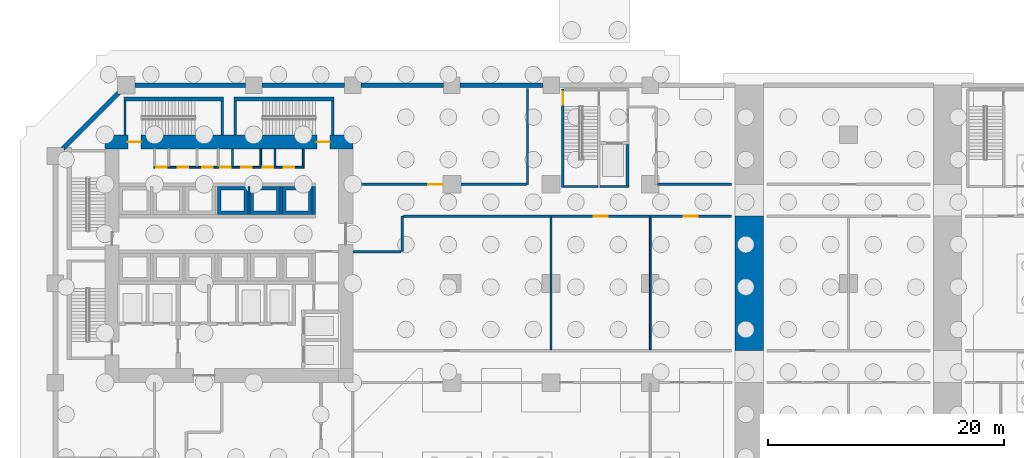
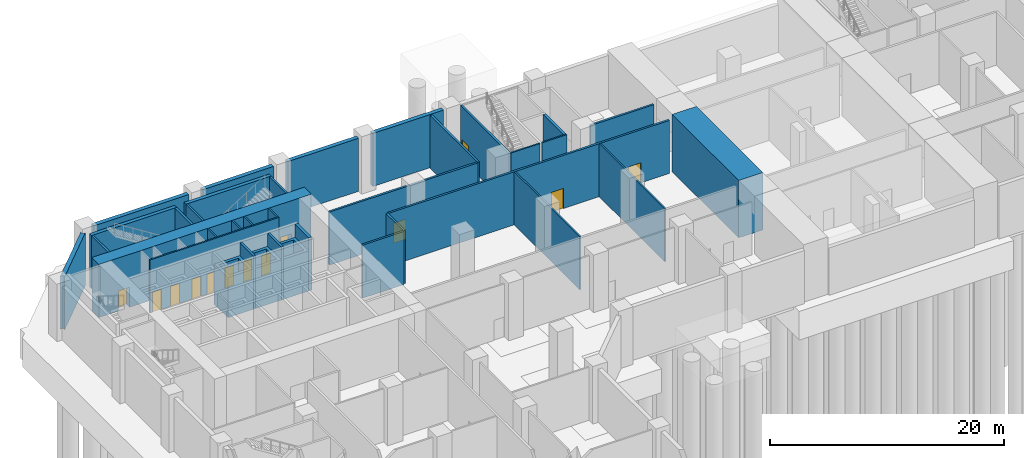
# One storey, part 8 of 13: 36 walls, 13 doors, 13 openings.
"""IFC4 building model written with IfcOpenShell, lengths in metres."""

from ifc_helpers import new_model, si_unit, direction, frame, frame_2d, origin, place, context, subcontext, project, spatial, polyline, rectangle, outline, extrude, material, layer, layer_set, type_object, element, fill, save


model = new_model("IFC4")

# Units and contexts
model_context = context("Model", 3, precision=1e-05, world=origin(), true_north=direction((0.0, 1.0)))
body_context = subcontext(model_context, "Body", "Model", "MODEL_VIEW")
ifc_project = project(units=[si_unit("LENGTHUNIT", "METRE"), si_unit("AREAUNIT", "SQUARE_METRE"), si_unit("VOLUMEUNIT", "CUBIC_METRE"), si_unit("PLANEANGLEUNIT", "RADIAN"), si_unit("MASSUNIT", "GRAM", prefix="KILO")], contexts=[model_context])

# Site, building, storey
site_placement = place(None, origin())
site = spatial("IfcSite", under=ifc_project, at=site_placement, CompositionType="ELEMENT")
building_placement = place(site_placement, origin())
building = spatial("IfcBuilding", under=site, at=building_placement, Name="Kawkab Arch Medical Tower", CompositionType="ELEMENT")
storey_placement = place(building_placement, frame((0.0, 0.0, -6.0)))
storey = spatial("IfcBuildingStorey", under=building, at=storey_placement, Name="B1", CompositionType="ELEMENT", Elevation=-6.0)

# Walls
ifc_material_1 = material(Name="Concrete C60/75", Category="concrete")
wall_type_1 = type_object("IfcWallType", Name="Arch wall C60/75", PredefinedType="SHEAR", material=ifc_material_1)
wall_1_placement = place(storey_placement, frame((0.0, -11.10009765625, 6.0), z_axis=(0.0, -1.0, 0.0), x_axis=(1.0, 0.0, 0.0)))
element("IfcWall", 1, at=wall_1_placement, inside=storey, type_object=wall_type_1, Name="Arch wall B1-3", PredefinedType="SHEAR", context=body_context, shape_type="SweptSolid", body=[
    extrude(outline(polyline([(60.0, 0.0), (60.0, -6.0), (57.60009765625, -6.0), (57.60009765625, 0.0), (60.0, 0.0)])), origin(), (0.0, 0.0, 1.0), 11.39990234375),
])
ifc_material_2 = material(Name="Concrete C45/55", Category="concrete")
ifc_layer_1 = layer(ifc_material_2, 0.39990234375)
ifc_layer_set_1 = layer_set([ifc_layer_1], Name="Concrete C45/55")
wall_type_2 = type_object("IfcWallType", Name="Basement wall 400 C45/55", PredefinedType="SOLIDWALL", material=ifc_layer_set_1)
placement = place(storey_placement, origin())
element("IfcWall", 2, at=placement, inside=storey, type_object=wall_type_2, Name="Basement wall 01", PredefinedType="SOLIDWALL", context=body_context, shape_type="SweptSolid", body=[
    extrude(outline(polyline([(16.10009765625, -0.199951171875), (6.72509765625, -0.199951171875), (6.72509765625, 0.199951171875), (16.10009765625, 0.199951171875), (16.10009765625, -0.199951171875)])), origin(), (0.0, 0.0, 1.0), 5.550048828125),
])
element("IfcWall", 3, at=placement, inside=storey, type_object=wall_type_2, Name="Basement wall 02", PredefinedType="SOLIDWALL", context=body_context, shape_type="SweptSolid", body=[
    extrude(outline(polyline([(24.5, -0.199951171875), (17.5, -0.199951171875), (17.5, 0.199951171875), (24.5, 0.199951171875), (24.5, -0.199951171875)])), origin(), (0.0, 0.0, 1.0), 5.550048828125),
])
element("IfcWall", 4, at=placement, inside=storey, type_object=wall_type_2, Name="Basement wall 03", PredefinedType="SOLIDWALL", context=body_context, shape_type="SweptSolid", body=[
    extrude(outline(polyline([(32.89990234375, -0.199951171875), (25.89990234375, -0.199951171875), (25.89990234375, 0.199951171875), (32.89990234375, 0.199951171875), (32.89990234375, -0.199951171875)])), origin(), (0.0, 0.0, 1.0), 5.550048828125),
])
element("IfcWall", 5, at=placement, inside=storey, type_object=wall_type_2, Name="Basement wall 04", PredefinedType="SOLIDWALL", context=body_context, shape_type="SweptSolid", body=[
    extrude(outline(polyline([(41.300048828125, -0.199951171875), (34.300048828125, -0.199951171875), (34.300048828125, 0.199951171875), (41.300048828125, 0.199951171875), (41.300048828125, -0.199951171875)])), origin(), (0.0, 0.0, 1.0), 5.550048828125),
])
element("IfcWall", 6, at=placement, inside=storey, type_object=wall_type_2, Name="Basement wall 09", PredefinedType="SOLIDWALL", context=body_context, shape_type="SweptSolid", body=[
    extrude(outline(polyline([(5.27490234375, -0.72509765625), (5.557861328125, -0.72509765625), (0.72509765625, -5.557861328125), (0.72509765625, -5.27490234375), (0.442138671875, -5.27490234375), (5.27490234375, -0.442138671875), (5.27490234375, -0.72509765625)])), origin(), (0.0, 0.0, 1.0), 5.550048828125),
])

# Wall, openings, doors
ifc_material_3 = material(Name="Concrete C60/75", Category="concrete")
ifc_layer_2 = layer(ifc_material_3, 1.199951171875)
ifc_layer_set_2 = layer_set([ifc_layer_2], Name="Concrete C60/75")
wall_type_3 = type_object("IfcWallType", Name="Core ring wall 1200 C60/75", PredefinedType="SHEAR", material=ifc_layer_set_2)
wall_7_placement = place(storey_placement, frame((4.199951171875, -4.800048828125, 0.0), z_axis=(0.0, 0.0, 1.0), x_axis=(1.0, 0.0, 0.0)))
wall_7 = element("IfcWall", 7, at=wall_7_placement, inside=storey, type_object=wall_type_3, Name="B1 core wall", PredefinedType="SHEAR", context=body_context, shape_type="SweptSolid", body=[
    extrude(rectangle(XDim=21.0, YDim=1.199951171875, at=frame_2d((10.5, 0.0))), origin(), (0.0, 0.0, 1.0), 5.550048828125),
])
opening_1_placement = place(wall_7_placement, frame((1.949951171875, 0.0, 0.0)))
opening_1 = element("IfcOpeningElement", 8, at=opening_1_placement, cuts=wall_7, Name="Opening SD", PredefinedType="OPENING", context=body_context, shape_type="SweptSolid", body=[
    extrude(rectangle(XDim=1.10009765625, YDim=2.10009765625, at=frame_2d((0.550048828125, 1.050048828125))), frame((0.0, 0.60986328125, 0.0), z_axis=(0.0, -1.0, 0.0), x_axis=(1.0, 0.0, 0.0)), (0.0, 0.0, 1.0), 1.219970703125),
])
opening_2_placement = place(wall_7_placement, frame((17.949951171875, 0.0, 0.0)))
opening_2 = element("IfcOpeningElement", 9, at=opening_2_placement, cuts=wall_7, Name="Opening SD", PredefinedType="OPENING", context=body_context, shape_type="SweptSolid", body=[
    extrude(rectangle(XDim=1.10009765625, YDim=2.10009765625, at=frame_2d((0.550048828125, 1.050048828125))), frame((0.0, 0.60986328125, 0.0), z_axis=(0.0, -1.0, 0.0), x_axis=(1.0, 0.0, 0.0)), (0.0, 0.0, 1.0), 1.219970703125),
])
ifc_material_4 = material(Name="Hollow metal fire door leaf")
door_type_1 = type_object("IfcDoorType", Name="Exit stair door 1100", OperationType="SINGLE_SWING_LEFT", PredefinedType="DOOR", material=ifc_material_4)
door_1_placement = place(opening_1_placement, origin())
door_1 = element("IfcDoor", 10, at=door_1_placement, inside=storey, type_object=door_type_1, Name="B1 Exit stair ST3 door", OperationType="SINGLE_SWING_LEFT", OverallHeight=2.10009765625, OverallWidth=1.10009765625, PredefinedType="DOOR", context=body_context, shape_type="SweptSolid", body=[
    extrude(rectangle(XDim=1.10009765625, YDim=2.10009765625, at=frame_2d((0.550048828125, 1.050048828125))), frame((0.0, 0.02490234375, 0.0), z_axis=(0.0, -1.0, 0.0), x_axis=(1.0, 0.0, 0.0)), (0.0, 0.0, 1.0), 0.050048828125),
])
fill(opening_1, door_1)
door_2_placement = place(opening_2_placement, origin())
door_2 = element("IfcDoor", 11, at=door_2_placement, inside=storey, type_object=door_type_1, Name="B1 Exit stair ST4 door", OperationType="SINGLE_SWING_LEFT", OverallHeight=2.10009765625, OverallWidth=1.10009765625, PredefinedType="DOOR", context=body_context, shape_type="SweptSolid", body=[
    extrude(rectangle(XDim=1.10009765625, YDim=2.10009765625, at=frame_2d((0.550048828125, 1.050048828125))), frame((0.0, 0.02490234375, 0.0), z_axis=(0.0, -1.0, 0.0), x_axis=(1.0, 0.0, 0.0)), (0.0, 0.0, 1.0), 0.050048828125),
])
fill(opening_2, door_2)

ifc_material_5 = material(Name="Gypsum board on steel studs", Category="steel")
ifc_layer_3 = layer(ifc_material_5, 0.14990234375)
ifc_layer_set_3 = layer_set([ifc_layer_3], Name="Gypsum board on steel studs")
wall_type_4 = type_object("IfcWallType", Name="Core room partition 150", PredefinedType="PARTITIONING", material=ifc_layer_set_3)
wall_8_placement = place(storey_placement, frame((8.324951171875, -6.949951171875, 0.0), z_axis=(0.0, 0.0, 1.0), x_axis=(1.0, 0.0, 0.0)))
wall_8 = element("IfcWall", 12, at=wall_8_placement, inside=storey, type_object=wall_type_4, Name="B1 core room partition", PredefinedType="PARTITIONING", context=body_context, shape_type="SweptSolid", body=[
    extrude(rectangle(XDim=12.75, YDim=0.14990234375, at=frame_2d((6.375, 0.0))), origin(), (0.0, 0.0, 1.0), 5.550048828125),
])
opening_3_placement = place(wall_8_placement, frame((0.22509765625, 0.0, 0.0)))
opening_3 = element("IfcOpeningElement", 13, at=opening_3_placement, cuts=wall_8, Name="Opening RD", PredefinedType="OPENING", context=body_context, shape_type="SweptSolid", body=[
    extrude(rectangle(XDim=0.89990234375, YDim=2.10009765625, at=frame_2d((0.449951171875, 1.050048828125))), frame((0.0, 0.0849609375, 0.0), z_axis=(0.0, -1.0, 0.0), x_axis=(1.0, 0.0, 0.0)), (0.0, 0.0, 1.0), 0.169921875),
])
opening_4_placement = place(wall_8_placement, frame((2.02490234375, 0.0, 0.0)))
opening_4 = element("IfcOpeningElement", 14, at=opening_4_placement, cuts=wall_8, Name="Opening RD", PredefinedType="OPENING", context=body_context, shape_type="SweptSolid", body=[
    extrude(rectangle(XDim=0.89990234375, YDim=2.10009765625, at=frame_2d((0.449951171875, 1.050048828125))), frame((0.0, 0.0849609375, 0.0), z_axis=(0.0, -1.0, 0.0), x_axis=(1.0, 0.0, 0.0)), (0.0, 0.0, 1.0), 0.169921875),
])
opening_5_placement = place(wall_8_placement, frame((4.125, 0.0, 0.0)))
opening_5 = element("IfcOpeningElement", 15, at=opening_5_placement, cuts=wall_8, Name="Opening RD", PredefinedType="OPENING", context=body_context, shape_type="SweptSolid", body=[
    extrude(rectangle(XDim=0.89990234375, YDim=2.10009765625, at=frame_2d((0.449951171875, 1.050048828125))), frame((0.0, 0.0849609375, 0.0), z_axis=(0.0, -1.0, 0.0), x_axis=(1.0, 0.0, 0.0)), (0.0, 0.0, 1.0), 0.169921875),
])
opening_6_placement = place(wall_8_placement, frame((5.625, 0.0, 0.0)))
opening_6 = element("IfcOpeningElement", 16, at=opening_6_placement, cuts=wall_8, Name="Opening RD", PredefinedType="OPENING", context=body_context, shape_type="SweptSolid", body=[
    extrude(rectangle(XDim=0.89990234375, YDim=2.10009765625, at=frame_2d((0.449951171875, 1.050048828125))), frame((0.0, 0.0849609375, 0.0), z_axis=(0.0, -1.0, 0.0), x_axis=(1.0, 0.0, 0.0)), (0.0, 0.0, 1.0), 0.169921875),
])
opening_7_placement = place(wall_8_placement, frame((7.425048828125, 0.0, 0.0)))
opening_7 = element("IfcOpeningElement", 17, at=opening_7_placement, cuts=wall_8, Name="Opening RD", PredefinedType="OPENING", context=body_context, shape_type="SweptSolid", body=[
    extrude(rectangle(XDim=0.89990234375, YDim=2.10009765625, at=frame_2d((0.449951171875, 1.050048828125))), frame((0.0, 0.0849609375, 0.0), z_axis=(0.0, -1.0, 0.0), x_axis=(1.0, 0.0, 0.0)), (0.0, 0.0, 1.0), 0.169921875),
])
opening_8_placement = place(wall_8_placement, frame((9.22509765625, 0.0, 0.0)))
opening_8 = element("IfcOpeningElement", 18, at=opening_8_placement, cuts=wall_8, Name="Opening RD", PredefinedType="OPENING", context=body_context, shape_type="SweptSolid", body=[
    extrude(rectangle(XDim=0.89990234375, YDim=2.10009765625, at=frame_2d((0.449951171875, 1.050048828125))), frame((0.0, 0.0849609375, 0.0), z_axis=(0.0, -1.0, 0.0), x_axis=(1.0, 0.0, 0.0)), (0.0, 0.0, 1.0), 0.169921875),
])
opening_9_placement = place(wall_8_placement, frame((11.02490234375, 0.0, 0.0)))
opening_9 = element("IfcOpeningElement", 19, at=opening_9_placement, cuts=wall_8, Name="Opening RD", PredefinedType="OPENING", context=body_context, shape_type="SweptSolid", body=[
    extrude(rectangle(XDim=0.89990234375, YDim=2.10009765625, at=frame_2d((0.449951171875, 1.050048828125))), frame((0.0, 0.0849609375, 0.0), z_axis=(0.0, -1.0, 0.0), x_axis=(1.0, 0.0, 0.0)), (0.0, 0.0, 1.0), 0.169921875),
])
ifc_material_6 = material(Name="Hollow metal fire door leaf")
door_type_2 = type_object("IfcDoorType", Name="Core room door 900", OperationType="SINGLE_SWING_LEFT", PredefinedType="DOOR", material=ifc_material_6)
door_3_placement = place(opening_3_placement, origin())
door_3 = element("IfcDoor", 20, at=door_3_placement, inside=storey, type_object=door_type_2, Name="B1 Electrical riser room door", OperationType="SINGLE_SWING_LEFT", OverallHeight=2.10009765625, OverallWidth=0.89990234375, PredefinedType="DOOR", context=body_context, shape_type="SweptSolid", body=[
    extrude(rectangle(XDim=0.89990234375, YDim=2.10009765625, at=frame_2d((0.449951171875, 1.050048828125))), frame((0.0, 0.02490234375, 0.0), z_axis=(0.0, -1.0, 0.0), x_axis=(1.0, 0.0, 0.0)), (0.0, 0.0, 1.0), 0.050048828125),
])
fill(opening_3, door_3)
door_4_placement = place(opening_4_placement, origin())
door_4 = element("IfcDoor", 21, at=door_4_placement, inside=storey, type_object=door_type_2, Name="B1 Comms room door", OperationType="SINGLE_SWING_LEFT", OverallHeight=2.10009765625, OverallWidth=0.89990234375, PredefinedType="DOOR", context=body_context, shape_type="SweptSolid", body=[
    extrude(rectangle(XDim=0.89990234375, YDim=2.10009765625, at=frame_2d((0.449951171875, 1.050048828125))), frame((0.0, 0.02490234375, 0.0), z_axis=(0.0, -1.0, 0.0), x_axis=(1.0, 0.0, 0.0)), (0.0, 0.0, 1.0), 0.050048828125),
])
fill(opening_4, door_4)
door_5_placement = place(opening_5_placement, origin())
door_5 = element("IfcDoor", 22, at=door_5_placement, inside=storey, type_object=door_type_2, Name="B1 Medical gas plant room door", OperationType="SINGLE_SWING_LEFT", OverallHeight=2.10009765625, OverallWidth=0.89990234375, PredefinedType="DOOR", context=body_context, shape_type="SweptSolid", body=[
    extrude(rectangle(XDim=0.89990234375, YDim=2.10009765625, at=frame_2d((0.449951171875, 1.050048828125))), frame((0.0, 0.02490234375, 0.0), z_axis=(0.0, -1.0, 0.0), x_axis=(1.0, 0.0, 0.0)), (0.0, 0.0, 1.0), 0.050048828125),
])
fill(opening_5, door_5)
door_6_placement = place(opening_6_placement, origin())
door_6 = element("IfcDoor", 23, at=door_6_placement, inside=storey, type_object=door_type_2, Name="B1 Sprinkler valve room door", OperationType="SINGLE_SWING_LEFT", OverallHeight=2.10009765625, OverallWidth=0.89990234375, PredefinedType="DOOR", context=body_context, shape_type="SweptSolid", body=[
    extrude(rectangle(XDim=0.89990234375, YDim=2.10009765625, at=frame_2d((0.449951171875, 1.050048828125))), frame((0.0, 0.02490234375, 0.0), z_axis=(0.0, -1.0, 0.0), x_axis=(1.0, 0.0, 0.0)), (0.0, 0.0, 1.0), 0.050048828125),
])
fill(opening_6, door_6)
door_7_placement = place(opening_7_placement, origin())
door_7 = element("IfcDoor", 24, at=door_7_placement, inside=storey, type_object=door_type_2, Name="B1 Housekeeping store door", OperationType="SINGLE_SWING_LEFT", OverallHeight=2.10009765625, OverallWidth=0.89990234375, PredefinedType="DOOR", context=body_context, shape_type="SweptSolid", body=[
    extrude(rectangle(XDim=0.89990234375, YDim=2.10009765625, at=frame_2d((0.449951171875, 1.050048828125))), frame((0.0, 0.02490234375, 0.0), z_axis=(0.0, -1.0, 0.0), x_axis=(1.0, 0.0, 0.0)), (0.0, 0.0, 1.0), 0.050048828125),
])
fill(opening_7, door_7)
door_8_placement = place(opening_8_placement, origin())
door_8 = element("IfcDoor", 25, at=door_8_placement, inside=storey, type_object=door_type_2, Name="B1 Electrical riser room door", OperationType="SINGLE_SWING_LEFT", OverallHeight=2.10009765625, OverallWidth=0.89990234375, PredefinedType="DOOR", context=body_context, shape_type="SweptSolid", body=[
    extrude(rectangle(XDim=0.89990234375, YDim=2.10009765625, at=frame_2d((0.449951171875, 1.050048828125))), frame((0.0, 0.02490234375, 0.0), z_axis=(0.0, -1.0, 0.0), x_axis=(1.0, 0.0, 0.0)), (0.0, 0.0, 1.0), 0.050048828125),
])
fill(opening_8, door_8)
door_9_placement = place(opening_9_placement, origin())
door_9 = element("IfcDoor", 26, at=door_9_placement, inside=storey, type_object=door_type_2, Name="B1 General store door", OperationType="SINGLE_SWING_LEFT", OverallHeight=2.10009765625, OverallWidth=0.89990234375, PredefinedType="DOOR", context=body_context, shape_type="SweptSolid", body=[
    extrude(rectangle(XDim=0.89990234375, YDim=2.10009765625, at=frame_2d((0.449951171875, 1.050048828125))), frame((0.0, 0.02490234375, 0.0), z_axis=(0.0, -1.0, 0.0), x_axis=(1.0, 0.0, 0.0)), (0.0, 0.0, 1.0), 0.050048828125),
])
fill(opening_9, door_9)

# Walls
for number, where, z_axis, x_axis, name in (
    (27, (15.0, -6.875, 0.0), (0.0, 0.0, 1.0), (0.0, 1.0, 0.0), "B1 core room partition"),
    (28, (17.39990234375, -6.875, 0.0), (0.0, 0.0, 1.0), (0.0, 1.0, 0.0), "B1 core room partition"),
    (29, (18.60009765625, -6.875, 0.0), (0.0, 0.0, 1.0), (0.0, 1.0, 0.0), "B1 core room partition"),
    (30, (21.0, -6.875, 0.0), (0.0, 0.0, 1.0), (0.0, 1.0, 0.0), "B1 core room partition"),
):
    element("IfcWall", number, at=place(storey_placement, frame(where, z_axis=z_axis, x_axis=x_axis)), inside=storey, type_object=wall_type_4, Name=name, PredefinedType="PARTITIONING", context=body_context, shape_type="SweptSolid", body=[
        extrude(rectangle(XDim=1.47509765625, YDim=0.14990234375, at=frame_2d((0.737548828125, 0.0))), origin(), (0.0, 0.0, 1.0), 5.550048828125),
    ])
ifc_material_7 = material(Name="Concrete C60/75", Category="concrete")
ifc_layer_4 = layer(ifc_material_7, 0.25)
ifc_layer_set_4 = layer_set([ifc_layer_4], Name="Concrete C60/75")
wall_type_5 = type_object("IfcWallType", Name="Core shear wall 250 C60/75", PredefinedType="SHEAR", material=ifc_layer_set_4)
wall_9_placement = place(storey_placement, frame((48.47509765625, -8.5, 0.0), z_axis=(0.0, 0.0, 1.0), x_axis=(0.0, 1.0, 0.0)))
element("IfcWall", 31, at=wall_9_placement, inside=storey, type_object=wall_type_5, Name="B1 core shear wall", PredefinedType="SHEAR", context=body_context, shape_type="SweptSolid", body=[
    extrude(rectangle(XDim=3.47509765625, YDim=0.25, at=frame_2d((1.737548828125, 0.0))), origin(), (0.0, 0.0, 1.0), 5.550048828125),
])
ifc_material_8 = material(Name="Concrete C60/75", Category="concrete")
ifc_layer_5 = layer(ifc_material_8, 0.300048828125)
ifc_layer_set_5 = layer_set([ifc_layer_5], Name="Concrete C60/75")
wall_type_6 = type_object("IfcWallType", Name="Core shear wall 300 C60/75", PredefinedType="SHEAR", material=ifc_layer_set_5)
wall_10_placement = place(storey_placement, frame((21.89990234375, -10.949951171875, 0.0), z_axis=(0.0, 0.0, 1.0), x_axis=(0.0, 1.0, 0.0)))
element("IfcWall", 32, at=wall_10_placement, inside=storey, type_object=wall_type_6, Name="B1 core shear wall", PredefinedType="SHEAR", context=body_context, shape_type="SweptSolid", body=[
    extrude(rectangle(XDim=2.349853515625, YDim=0.300048828125, at=frame_2d((1.1748046875, 0.0))), origin(), (0.0, 0.0, 1.0), 5.550048828125),
])
ifc_material_9 = material(Name="Dense concrete blockwork", Category="masonry")
ifc_layer_6 = layer(ifc_material_9, 0.199951171875)
ifc_layer_set_6 = layer_set([ifc_layer_6], Name="Dense concrete blockwork")
wall_type_7 = type_object("IfcWallType", Name="Lift shaft partition 200", PredefinedType="PARTITIONING", material=ifc_layer_set_6)
for number, where, z_axis, x_axis, name in (
    (33, (16.39990234375, -10.949951171875, 0.0), (0.0, 0.0, 1.0), (0.0, 1.0, 0.0), "B1 lift shaft partition"),
    (34, (19.14990234375, -10.949951171875, 0.0), (0.0, 0.0, 1.0), (0.0, 1.0, 0.0), "B1 lift shaft partition"),
):
    element("IfcWall", number, at=place(storey_placement, frame(where, z_axis=z_axis, x_axis=x_axis)), inside=storey, type_object=wall_type_7, Name=name, PredefinedType="PARTITIONING", context=body_context, shape_type="SweptSolid", body=[
        extrude(rectangle(XDim=2.349853515625, YDim=0.199951171875, at=frame_2d((1.1748046875, 0.0))), origin(), (0.0, 0.0, 1.0), 5.550048828125),
    ])
ifc_material_10 = material(Name="Concrete C45/55", Category="concrete")
ifc_layer_7 = layer(ifc_material_10, 0.300048828125)
ifc_layer_set_7 = layer_set([ifc_layer_7], Name="Concrete C45/55")
wall_type_8 = type_object("IfcWallType", Name="Lift well wall 300 C45/55", PredefinedType="SHEAR", material=ifc_layer_set_7)
element("IfcWall", 35, at=placement, inside=storey, type_object=wall_type_8, Name="Lift well wall LP4", PredefinedType="SHEAR", context=body_context, shape_type="SweptSolid", body=[
    extrude(outline(polyline([(13.75, -10.949951171875), (13.75, -8.60009765625), (16.300048828125, -8.60009765625), (16.300048828125, -10.949951171875), (13.75, -10.949951171875)]), holes=[polyline([(16.0, -8.89990234375), (14.050048828125, -8.89990234375), (14.050048828125, -10.64990234375), (16.0, -10.64990234375), (16.0, -8.89990234375)])]), origin(), (0.0, 0.0, 1.0), 4.199951171875),
])
element("IfcWall", 36, at=placement, inside=storey, type_object=wall_type_8, Name="Lift well wall MP1", PredefinedType="SHEAR", context=body_context, shape_type="SweptSolid", body=[
    extrude(outline(polyline([(16.5, -10.949951171875), (16.5, -8.60009765625), (19.050048828125, -8.60009765625), (19.050048828125, -10.949951171875), (16.5, -10.949951171875)]), holes=[polyline([(18.75, -8.89990234375), (16.800048828125, -8.89990234375), (16.800048828125, -10.64990234375), (18.75, -10.64990234375), (18.75, -8.89990234375)])]), origin(), (0.0, 0.0, 1.0), 4.199951171875),
])
element("IfcWall", 37, at=placement, inside=storey, type_object=wall_type_8, Name="Lift well wall MP2", PredefinedType="SHEAR", context=body_context, shape_type="SweptSolid", body=[
    extrude(outline(polyline([(19.25, -10.949951171875), (19.25, -8.60009765625), (21.75, -8.60009765625), (21.75, -10.949951171875), (19.25, -10.949951171875)]), holes=[polyline([(21.449951171875, -8.89990234375), (19.550048828125, -8.89990234375), (19.550048828125, -10.64990234375), (21.449951171875, -10.64990234375), (21.449951171875, -8.89990234375)])]), origin(), (0.0, 0.0, 1.0), 4.199951171875),
])
ifc_material_11 = material(Name="Gypsum board partition on steel studs, mineral wool", Category="steel")
ifc_layer_8 = layer(ifc_material_11, 0.14990234375)
ifc_layer_set_8 = layer_set([ifc_layer_8], Name="Gypsum board partition on steel studs, mineral wool")
wall_type_9 = type_object("IfcWallType", Name="Partition 150", PredefinedType="PARTITIONING", material=ifc_layer_set_8)
for number, where, z_axis, x_axis, name in (
    (38, (42.0, -22.39990234375, 0.0), (0.0, 0.0, 1.0), (0.0, 1.0, 0.0), "Partition 150 w029"),
    (39, (50.39990234375, -22.39990234375, 0.0), (0.0, 0.0, 1.0), (0.0, 1.0, 0.0), "Partition 150 w031"),
):
    element("IfcWall", number, at=place(storey_placement, frame(where, z_axis=z_axis, x_axis=x_axis)), inside=storey, type_object=wall_type_9, Name=name, PredefinedType="PARTITIONING", context=body_context, shape_type="SweptSolid", body=[
        extrude(rectangle(XDim=11.199951171875, YDim=0.14990234375, at=frame_2d((5.60009765625, 0.0))), origin(), (0.0, 0.0, 1.0), 5.550048828125),
    ])
ifc_material_12 = material(Name="Fire-rated gypsum board partition on steel studs", Category="steel")
ifc_layer_9 = layer(ifc_material_12, 0.199951171875)
ifc_layer_set_9 = layer_set([ifc_layer_9], Name="Fire-rated gypsum board partition on steel studs")
wall_type_10 = type_object("IfcWallType", Name="Protected partition 200", PredefinedType="PARTITIONING", material=ifc_layer_set_9)
wall_14_placement = place(storey_placement, frame((25.199951171875, -14.10009765625, 0.0), z_axis=(0.0, 0.0, 1.0), x_axis=(1.0, 0.0, 0.0)))
element("IfcWall", 40, at=wall_14_placement, inside=storey, type_object=wall_type_10, Name="Protected partition 200 w041", PredefinedType="PARTITIONING", context=body_context, shape_type="SweptSolid", body=[
    extrude(rectangle(XDim=4.10009765625, YDim=0.199951171875, at=frame_2d((2.050048828125, 0.0))), origin(), (0.0, 0.0, 1.0), 5.550048828125),
])

# Wall, openings, doors
wall_15_placement = place(storey_placement, frame((29.5, -11.10009765625, 0.0), z_axis=(0.0, 0.0, 1.0), x_axis=(1.0, 0.0, 0.0)))
wall_15 = element("IfcWall", 41, at=wall_15_placement, inside=storey, type_object=wall_type_10, Name="Protected partition 200 w042", PredefinedType="PARTITIONING", context=body_context, shape_type="SweptSolid", body=[
    extrude(rectangle(XDim=27.800048828125, YDim=0.199951171875, at=frame_2d((13.89990234375, 0.0))), origin(), (0.0, 0.0, 1.0), 5.550048828125),
])
opening_10_placement = place(wall_15_placement, frame((16.10009765625, 0.0, 0.0)))
opening_10 = element("IfcOpeningElement", 42, at=opening_10_placement, cuts=wall_15, Name="Opening B01-030", PredefinedType="OPENING", context=body_context, shape_type="SweptSolid", body=[
    extrude(rectangle(XDim=1.199951171875, YDim=2.10009765625, at=frame_2d((0.60009765625, 1.050048828125))), frame((0.0, 0.10986328125, 0.0), z_axis=(0.0, -1.0, 0.0), x_axis=(1.0, 0.0, 0.0)), (0.0, 0.0, 1.0), 0.219970703125),
])
opening_11_placement = place(wall_15_placement, frame((23.75, 0.0, 0.0)))
opening_11 = element("IfcOpeningElement", 43, at=opening_11_placement, cuts=wall_15, Name="Opening B01-031", PredefinedType="OPENING", context=body_context, shape_type="SweptSolid", body=[
    extrude(rectangle(XDim=1.199951171875, YDim=2.10009765625, at=frame_2d((0.60009765625, 1.050048828125))), frame((0.0, 0.10986328125, 0.0), z_axis=(0.0, -1.0, 0.0), x_axis=(1.0, 0.0, 0.0)), (0.0, 0.0, 1.0), 0.219970703125),
])
ifc_material_13 = material(Name="Hollow metal door leaf")
door_type_3 = type_object("IfcDoorType", Name="Single door 1200x2100 FD60", OperationType="NOTDEFINED", PredefinedType="DOOR", material=ifc_material_13)
door_10_placement = place(opening_10_placement, origin())
door_10 = element("IfcDoor", 44, at=door_10_placement, inside=storey, type_object=door_type_3, Name="Door B01-030", OperationType="SINGLE_SWING_LEFT", OverallHeight=2.10009765625, OverallWidth=1.199951171875, PredefinedType="DOOR", context=body_context, shape_type="SweptSolid", body=[
    extrude(rectangle(XDim=1.199951171875, YDim=2.10009765625, at=frame_2d((0.60009765625, 1.050048828125))), frame((0.0, 0.02490234375, 0.0), z_axis=(0.0, -1.0, 0.0), x_axis=(1.0, 0.0, 0.0)), (0.0, 0.0, 1.0), 0.050048828125),
])
fill(opening_10, door_10)
door_11_placement = place(opening_11_placement, origin())
door_11 = element("IfcDoor", 45, at=door_11_placement, inside=storey, type_object=door_type_3, Name="Door B01-031", OperationType="SINGLE_SWING_LEFT", OverallHeight=2.10009765625, OverallWidth=1.199951171875, PredefinedType="DOOR", context=body_context, shape_type="SweptSolid", body=[
    extrude(rectangle(XDim=1.199951171875, YDim=2.10009765625, at=frame_2d((0.60009765625, 1.050048828125))), frame((0.0, 0.02490234375, 0.0), z_axis=(0.0, -1.0, 0.0), x_axis=(1.0, 0.0, 0.0)), (0.0, 0.0, 1.0), 0.050048828125),
])
fill(opening_11, door_11)

# Wall, opening, door
wall_16_placement = place(storey_placement, frame((25.199951171875, -8.39990234375, 0.0), z_axis=(0.0, 0.0, 1.0), x_axis=(1.0, 0.0, 0.0)))
wall_16 = element("IfcWall", 46, at=wall_16_placement, inside=storey, type_object=wall_type_10, Name="Protected partition 200 w045", PredefinedType="PARTITIONING", context=body_context, shape_type="SweptSolid", body=[
    extrude(rectangle(XDim=14.70703125, YDim=0.199951171875, at=frame_2d((7.353515625, 0.0))), origin(), (0.0, 0.0, 1.0), 5.550048828125),
])
opening_12_placement = place(wall_16_placement, frame((6.404052734375, 0.0, 0.0)))
opening_12 = element("IfcOpeningElement", 47, at=opening_12_placement, cuts=wall_16, Name="Opening B01-025", PredefinedType="OPENING", context=body_context, shape_type="SweptSolid", body=[
    extrude(rectangle(XDim=1.199951171875, YDim=2.10009765625, at=frame_2d((0.60009765625, 1.050048828125))), frame((0.0, 0.10986328125, 0.0), z_axis=(0.0, -1.0, 0.0), x_axis=(1.0, 0.0, 0.0)), (0.0, 0.0, 1.0), 0.219970703125),
])
door_12_placement = place(opening_12_placement, origin())
door_12 = element("IfcDoor", 48, at=door_12_placement, inside=storey, type_object=door_type_3, Name="Door B01-025", OperationType="SINGLE_SWING_LEFT", OverallHeight=2.10009765625, OverallWidth=1.199951171875, PredefinedType="DOOR", context=body_context, shape_type="SweptSolid", body=[
    extrude(rectangle(XDim=1.199951171875, YDim=2.10009765625, at=frame_2d((0.60009765625, 1.050048828125))), frame((0.0, 0.02490234375, 0.0), z_axis=(0.0, -1.0, 0.0), x_axis=(1.0, 0.0, 0.0)), (0.0, 0.0, 1.0), 0.050048828125),
])
fill(opening_12, door_12)

# Walls
wall_17_placement = place(storey_placement, frame((51.02490234375, -8.39990234375, 0.0), z_axis=(0.0, 0.0, 1.0), x_axis=(1.0, 0.0, 0.0)))
element("IfcWall", 49, at=wall_17_placement, inside=storey, type_object=wall_type_10, Name="Protected partition 200 w046", PredefinedType="PARTITIONING", context=body_context, shape_type="SweptSolid", body=[
    extrude(rectangle(XDim=6.275146484375, YDim=0.199951171875, at=frame_2d((3.1376953125, 0.0))), origin(), (0.0, 0.0, 1.0), 5.550048828125),
])
wall_18_placement = place(storey_placement, frame((29.39990234375, -14.10009765625, 0.0), z_axis=(0.0, 0.0, 1.0), x_axis=(0.0, 1.0, 0.0)))
element("IfcWall", 50, at=wall_18_placement, inside=storey, type_object=wall_type_10, Name="Protected partition 200 w053", PredefinedType="PARTITIONING", context=body_context, shape_type="SweptSolid", body=[
    extrude(rectangle(XDim=3.0, YDim=0.199951171875, at=frame_2d((1.5, 0.0))), origin(), (0.0, 0.0, 1.0), 5.550048828125),
])
wall_19_placement = place(storey_placement, frame((40.007080078125, -8.39990234375, 0.0), z_axis=(0.0, 0.0, 1.0), x_axis=(0.0, 1.0, 0.0)))
element("IfcWall", 51, at=wall_19_placement, inside=storey, type_object=wall_type_10, Name="Protected partition 200 w054", PredefinedType="PARTITIONING", context=body_context, shape_type="SweptSolid", body=[
    extrude(rectangle(XDim=8.100830078125, YDim=0.199951171875, at=frame_2d((4.05029296875, 0.0))), origin(), (0.0, 0.0, 1.0), 5.550048828125),
])
ifc_material_14 = material(Name="Concrete C50/60", Category="concrete")
ifc_layer_10 = layer(ifc_material_14, 0.14990234375)
ifc_layer_set_10 = layer_set([ifc_layer_10], Name="Concrete C50/60")
wall_type_11 = type_object("IfcWallType", Name="Stair enclosure wall 150 C50/60", PredefinedType="SHEAR", material=ifc_layer_set_10)
wall_20_placement = place(storey_placement, frame((43.10009765625, -8.574951171875, 0.0), z_axis=(0.0, 0.0, 1.0), x_axis=(1.0, 0.0, 0.0)))
element("IfcWall", 52, at=wall_20_placement, inside=storey, type_object=wall_type_11, Name="B1 stair enclosure wall", PredefinedType="SHEAR", context=body_context, shape_type="SweptSolid", body=[
    extrude(rectangle(XDim=2.849853515625, YDim=0.14990234375, at=frame_2d((1.4248046875, 0.0))), origin(), (0.0, 0.0, 1.0), 5.550048828125),
])
wall_21_placement = place(storey_placement, frame((46.14990234375, -8.574951171875, 0.0), z_axis=(0.0, 0.0, 1.0), x_axis=(1.0, 0.0, 0.0)))
element("IfcWall", 53, at=wall_21_placement, inside=storey, type_object=wall_type_11, Name="B1 stair enclosure wall", PredefinedType="SHEAR", context=body_context, shape_type="SweptSolid", body=[
    extrude(rectangle(XDim=2.4501953125, YDim=0.14990234375, at=frame_2d((1.22509765625, 0.0))), origin(), (0.0, 0.0, 1.0), 5.550048828125),
])
ifc_material_15 = material(Name="Concrete C50/60", Category="concrete")
ifc_layer_11 = layer(ifc_material_15, 0.199951171875)
ifc_layer_set_11 = layer_set([ifc_layer_11], Name="Concrete C50/60")
wall_type_12 = type_object("IfcWallType", Name="Stair enclosure wall 200 C50/60", PredefinedType="SHEAR", material=ifc_layer_set_11)
for number, where, z_axis, x_axis, name in (
    (54, (5.89990234375, -4.199951171875, 0.0), (0.0, 0.0, 1.0), (0.0, 1.0, 0.0), "B1 stair enclosure wall"),
    (55, (14.14990234375, -4.199951171875, 0.0), (0.0, 0.0, 1.0), (0.0, 1.0, 0.0), "B1 stair enclosure wall"),
    (56, (15.25, -4.199951171875, 0.0), (0.0, 0.0, 1.0), (0.0, 1.0, 0.0), "B1 stair enclosure wall"),
    (57, (23.5, -4.199951171875, 0.0), (0.0, 0.0, 1.0), (0.0, 1.0, 0.0), "B1 stair enclosure wall"),
):
    element("IfcWall", number, at=place(storey_placement, frame(where, z_axis=z_axis, x_axis=x_axis)), inside=storey, type_object=wall_type_12, Name=name, PredefinedType="SHEAR", context=body_context, shape_type="SweptSolid", body=[
        extrude(rectangle(XDim=2.849853515625, YDim=0.199951171875, at=frame_2d((1.4248046875, 0.0))), origin(), (0.0, 0.0, 1.0), 5.550048828125),
    ])

# Wall, opening, door
wall_22_placement = place(storey_placement, frame((43.0, -8.64990234375, 0.0), z_axis=(0.0, 0.0, 1.0), x_axis=(0.0, 1.0, 0.0)))
wall_22 = element("IfcWall", 58, at=wall_22_placement, inside=storey, type_object=wall_type_12, Name="B1 stair enclosure wall", PredefinedType="SHEAR", context=body_context, shape_type="SweptSolid", body=[
    extrude(rectangle(XDim=8.349853515625, YDim=0.199951171875, at=frame_2d((4.1748046875, 0.0))), origin(), (0.0, 0.0, 1.0), 5.550048828125),
])
opening_13_placement = place(wall_22_placement, frame((7.0, 0.0, 0.0)))
opening_13 = element("IfcOpeningElement", 59, at=opening_13_placement, cuts=wall_22, Name="Opening SD", PredefinedType="OPENING", context=body_context, shape_type="SweptSolid", body=[
    extrude(rectangle(XDim=1.10009765625, YDim=2.10009765625, at=frame_2d((0.550048828125, 1.050048828125))), frame((0.0, 0.10986328125, 0.0), z_axis=(0.0, -1.0, 0.0), x_axis=(1.0, 0.0, 0.0)), (0.0, 0.0, 1.0), 0.219970703125),
])
door_13_placement = place(opening_13_placement, frame((1.10009765625, 0.0, 0.0), z_axis=(0.0, 0.0, 1.0), x_axis=(-1.0, 0.0, 0.0)))
door_13 = element("IfcDoor", 60, at=door_13_placement, inside=storey, type_object=door_type_1, Name="B1 Exit stair ST5 door", OperationType="SINGLE_SWING_LEFT", OverallHeight=2.10009765625, OverallWidth=1.10009765625, PredefinedType="DOOR", context=body_context, shape_type="SweptSolid", body=[
    extrude(rectangle(XDim=1.10009765625, YDim=2.10009765625, at=frame_2d((0.550048828125, 1.050048828125))), frame((0.0, 0.02490234375, 0.0), z_axis=(0.0, -1.0, 0.0), x_axis=(1.0, 0.0, 0.0)), (0.0, 0.0, 1.0), 0.050048828125),
])
fill(opening_13, door_13)

# Walls
ifc_material_16 = material(Name="Concrete C50/60", Category="concrete")
ifc_layer_12 = layer(ifc_material_16, 0.35009765625)
ifc_layer_set_12 = layer_set([ifc_layer_12], Name="Concrete C50/60")
wall_type_13 = type_object("IfcWallType", Name="Stair enclosure wall 350 C50/60", PredefinedType="SHEAR", material=ifc_layer_set_12)
wall_23_placement = place(storey_placement, frame((5.800048828125, -1.175048828125, 0.0), z_axis=(0.0, 0.0, 1.0), x_axis=(1.0, 0.0, 0.0)))
element("IfcWall", 61, at=wall_23_placement, inside=storey, type_object=wall_type_13, Name="B1 stair enclosure wall", PredefinedType="SHEAR", context=body_context, shape_type="SweptSolid", body=[
    extrude(rectangle(XDim=8.449951171875, YDim=0.35009765625, at=frame_2d((4.22509765625, 0.0))), origin(), (0.0, 0.0, 1.0), 5.550048828125),
])
wall_24_placement = place(storey_placement, frame((15.14990234375, -1.175048828125, 0.0), z_axis=(0.0, 0.0, 1.0), x_axis=(1.0, 0.0, 0.0)))
element("IfcWall", 62, at=wall_24_placement, inside=storey, type_object=wall_type_13, Name="B1 stair enclosure wall", PredefinedType="SHEAR", context=body_context, shape_type="SweptSolid", body=[
    extrude(rectangle(XDim=8.4501953125, YDim=0.35009765625, at=frame_2d((4.22509765625, 0.0))), origin(), (0.0, 0.0, 1.0), 5.550048828125),
])

save(model, "model.ifc")
